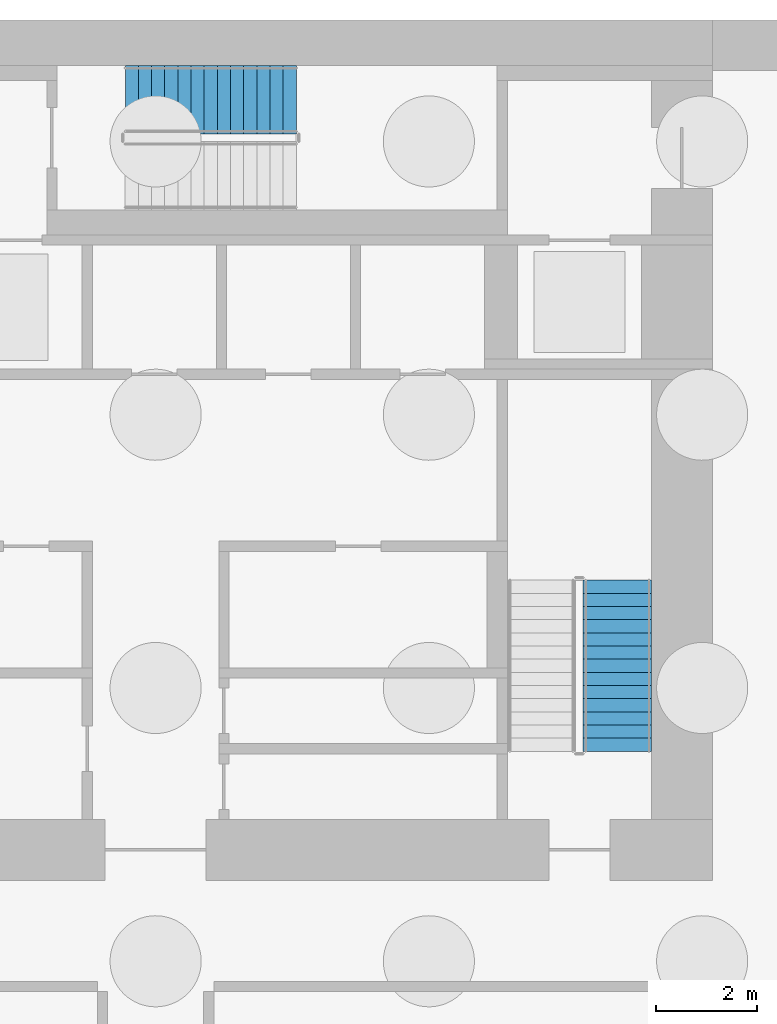
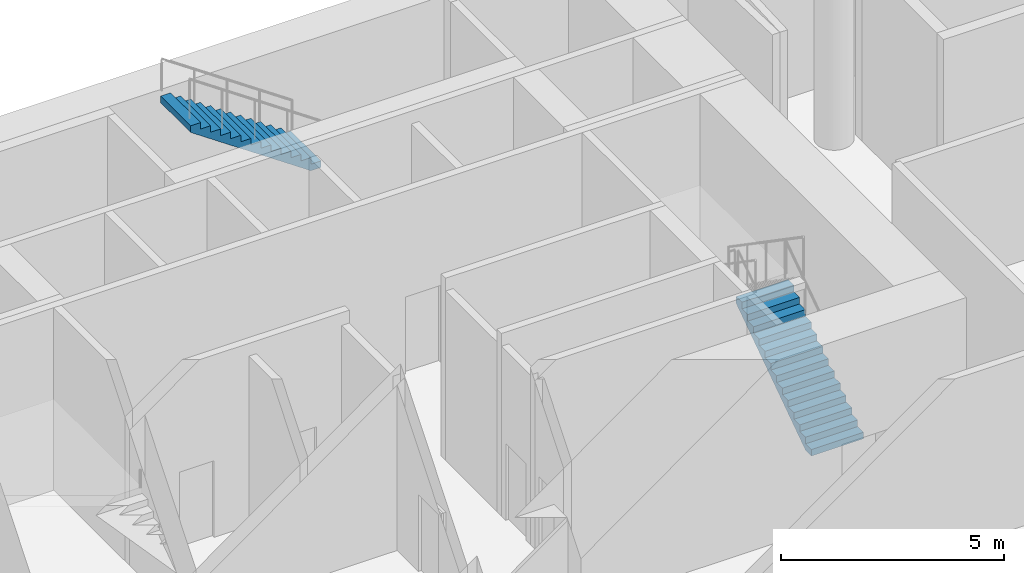
# One storey, part 10 of 12: 2 stair flights, 2 elements without a shape of their own.
"""IFC4 building model written with IfcOpenShell, lengths in metres."""

from ifc_helpers import new_model, si_unit, direction, frame, origin, place, context, subcontext, project, spatial, polyline, outline, extrude, material, layer, layer_set, type_object, element, aggregate, save


model = new_model("IFC4")

# Units and contexts
model_context = context("Model", 3, precision=1e-05, world=origin(), true_north=direction((0.0, 1.0)))
body_context = subcontext(model_context, "Body", "Model", "MODEL_VIEW")
ifc_project = project(units=[si_unit("LENGTHUNIT", "METRE"), si_unit("AREAUNIT", "SQUARE_METRE"), si_unit("VOLUMEUNIT", "CUBIC_METRE"), si_unit("PLANEANGLEUNIT", "RADIAN"), si_unit("MASSUNIT", "GRAM", prefix="KILO")], contexts=[model_context])

# Site, building, storey
site_placement = place(None, origin())
site = spatial("IfcSite", under=ifc_project, at=site_placement, CompositionType="ELEMENT")
building_placement = place(site_placement, origin())
building = spatial("IfcBuilding", under=site, at=building_placement, Name="White Candle Pilgrim Tower", CompositionType="ELEMENT")
storey_placement = place(building_placement, frame((0.0, 0.0, -10.0)))
storey = spatial("IfcBuildingStorey", under=building, at=storey_placement, Name="B2", CompositionType="ELEMENT", Elevation=-10.0)

# Stair, stair flight
ifc_material = material(Name="Concrete C40/50", Category="concrete")
stair_type_1 = type_object("IfcStairType", Name="Exit stair 2 flight width 1350 mm", PredefinedType="HALF_TURN_STAIR", material=ifc_material)
stair_1_placement = place(storey_placement, origin())
stair_1 = element("IfcStair", 1, at=stair_1_placement, inside=storey, type_object=stair_type_1, Name="B2 stair 2", PredefinedType="NOTDEFINED")
ifc_layer = layer(ifc_material, 0.14990234375)
ifc_layer_set = layer_set([ifc_layer], Name="Stair flight Concrete C40/50")
stair_flight_type = type_object("IfcStairFlightType", Name="Stair flight Concrete C40/50", PredefinedType="STRAIGHT", material=ifc_layer_set)
stair_flight_1_placement = place(storey_placement, frame((79.125, 73.550048828125, 0.0), z_axis=(0.0, 0.0, 1.0), x_axis=(0.0, 1.0, 0.0)))
stair_flight_1 = element("IfcStairFlight", 2, at=stair_flight_1_placement, type_object=stair_flight_type, Name="ST2 flight 1", NumberOfRisers=14, NumberOfTreads=13, PredefinedType="NOTDEFINED", RiserHeight=0.178571429, TreadLength=0.26, context=body_context, shape_type="SweptSolid", body=[
    extrude(outline(polyline([(0.0, 0.0), (0.0, 0.178466796875), (0.260009765625, 0.178466796875), (0.260009765625, 0.357177734375), (0.52001953125, 0.357177734375), (0.52001953125, 0.53564453125), (0.780029296875, 0.53564453125), (0.780029296875, 0.71435546875), (1.0400390625, 0.71435546875), (1.0400390625, 0.892822265625), (1.300048828125, 0.892822265625), (1.300048828125, 1.071533203125), (1.56005859375, 1.071533203125), (1.56005859375, 1.25), (1.820068359375, 1.25), (1.820068359375, 1.428466796875), (2.080078125, 1.428466796875), (2.080078125, 1.607177734375), (2.340087890625, 1.607177734375), (2.340087890625, 1.78564453125), (2.60009765625, 1.78564453125), (2.60009765625, 1.96435546875), (2.860107421875, 1.96435546875), (2.860107421875, 2.142822265625), (3.1201171875, 2.142822265625), (3.1201171875, 2.321533203125), (3.3798828125, 2.321533203125), (3.3798828125, 2.5), (3.3798828125, 2.1396484375), (0.264892578125, 0.0), (0.0, 0.0)])), frame((0.0, 0.675048828125, 0.0), z_axis=(0.0, -1.0, 0.0), x_axis=(1.0, 0.0, 0.0)), (0.0, 0.0, 1.0), 1.35009765625),
])
aggregate(stair_1, [stair_flight_1])

stair_type_2 = type_object("IfcStairType", Name="Exit stair 3 flight width 1350 mm", PredefinedType="HALF_TURN_STAIR", material=ifc_material)
stair_2_placement = place(storey_placement, origin())
stair_2 = element("IfcStair", 3, at=stair_2_placement, inside=storey, type_object=stair_type_2, Name="B2 stair 3", PredefinedType="NOTDEFINED")
stair_flight_2_placement = place(storey_placement, frame((72.780029296875, 86.425048828125, 2.5), z_axis=(0.0, 0.0, 1.0), x_axis=(-1.0, 0.0, 0.0)))
stair_flight_2 = element("IfcStairFlight", 4, at=stair_flight_2_placement, type_object=stair_flight_type, Name="ST3 flight 2", NumberOfRisers=14, NumberOfTreads=13, PredefinedType="NOTDEFINED", RiserHeight=0.178571429, TreadLength=0.26, context=body_context, shape_type="SweptSolid", body=[
    extrude(outline(polyline([(0.0, 0.0), (0.0, 0.178466796875), (0.260009765625, 0.178466796875), (0.260009765625, 0.357177734375), (0.52001953125, 0.357177734375), (0.52001953125, 0.53564453125), (0.780029296875, 0.53564453125), (0.780029296875, 0.71435546875), (1.0400390625, 0.71435546875), (1.0400390625, 0.892822265625), (1.300048828125, 0.892822265625), (1.300048828125, 1.071533203125), (1.56005859375, 1.071533203125), (1.56005859375, 1.25), (1.820068359375, 1.25), (1.820068359375, 1.428466796875), (2.080078125, 1.428466796875), (2.080078125, 1.607177734375), (2.340087890625, 1.607177734375), (2.340087890625, 1.78564453125), (2.60009765625, 1.78564453125), (2.60009765625, 1.96435546875), (2.860107421875, 1.96435546875), (2.860107421875, 2.142822265625), (3.1201171875, 2.142822265625), (3.1201171875, 2.321533203125), (3.3798828125, 2.321533203125), (3.3798828125, 2.5), (3.3798828125, 2.1396484375), (0.264892578125, 0.0), (0.0, 0.0)])), frame((0.0, 0.675048828125, 0.0), z_axis=(0.0, -1.0, 0.0), x_axis=(1.0, 0.0, 0.0)), (0.0, 0.0, 1.0), 1.35009765625),
])
aggregate(stair_2, [stair_flight_2])

save(model, "model.ifc")
